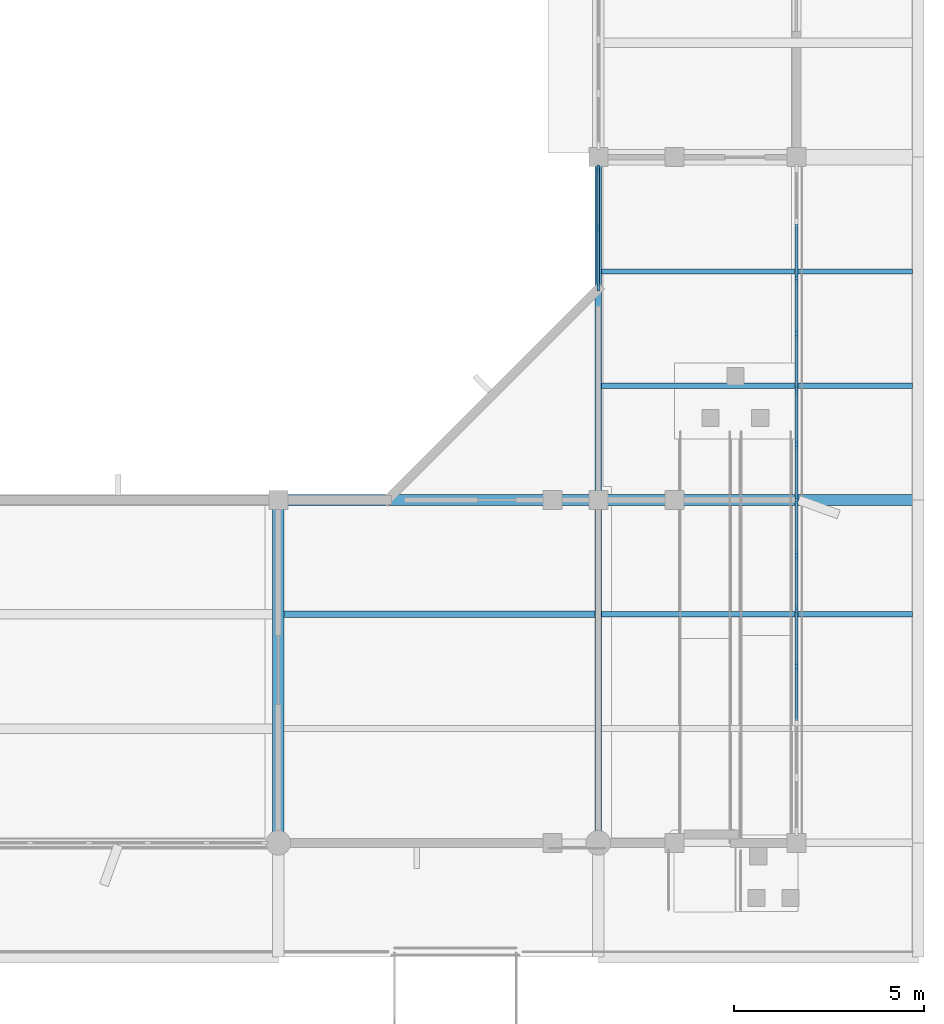
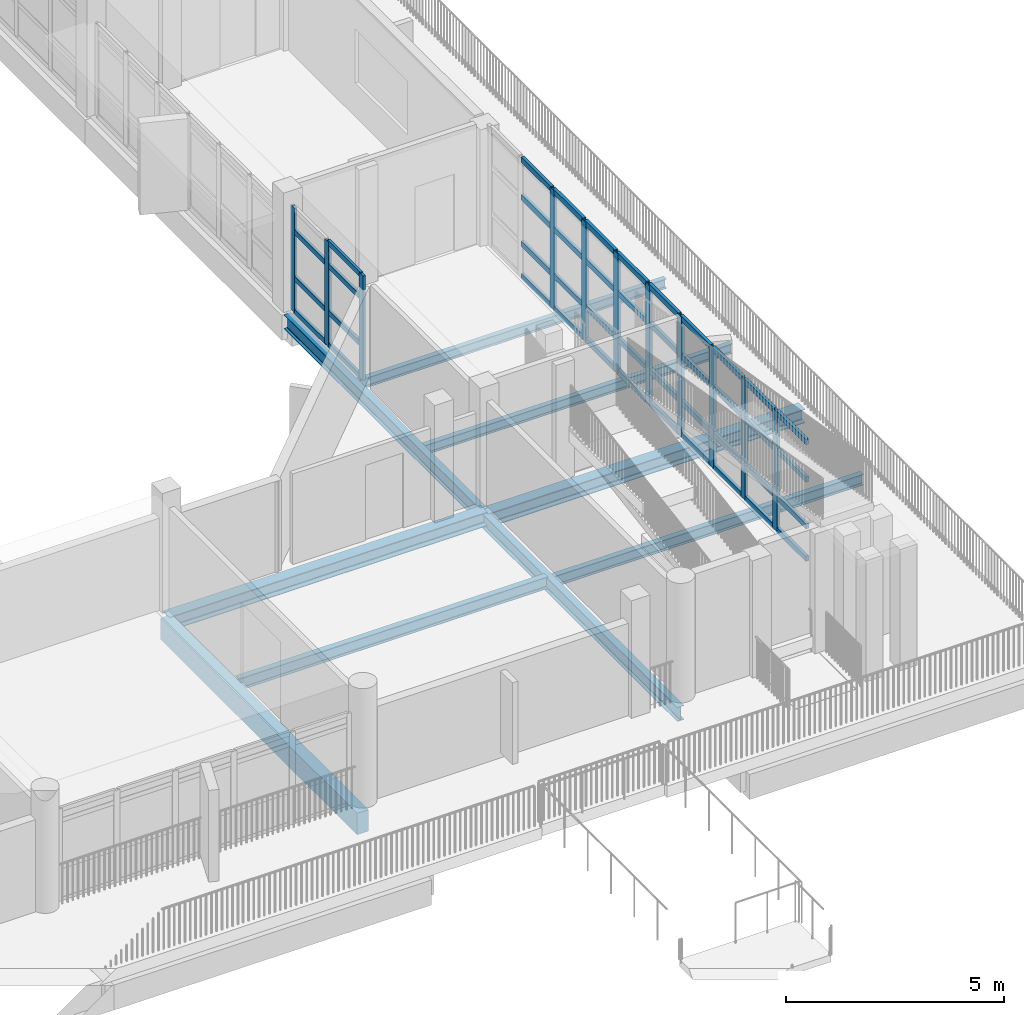
# One storey, part 12 of 51: 54 members, 9 beams, 2 elements without a shape of their own.
"""IFC4 building model written with IfcOpenShell, lengths in metres."""

from ifc_helpers import new_model, si_unit, direction, frame, origin, origin_2d, place, context, subcontext, project, spatial, rectangle, i_section, extrude, material, material_profile, profile_set, type_object, element, aggregate, save


model = new_model("IFC4")

# Units and contexts
model_context = context("Model", 3, precision=1e-05, world=origin(), true_north=direction((0.0, 1.0)))
body_context = subcontext(model_context, "Body", "Model", "MODEL_VIEW")
ifc_project = project(units=[si_unit("LENGTHUNIT", "METRE"), si_unit("AREAUNIT", "SQUARE_METRE"), si_unit("VOLUMEUNIT", "CUBIC_METRE"), si_unit("PLANEANGLEUNIT", "RADIAN"), si_unit("MASSUNIT", "GRAM", prefix="KILO")], contexts=[model_context])

# Site, building, storey
site_placement = place(None, origin())
site = spatial("IfcSite", under=ifc_project, at=site_placement, CompositionType="ELEMENT")
building_placement = place(site_placement, origin())
building = spatial("IfcBuilding", under=site, at=building_placement, Name="Vanh Quang Courtyard School", CompositionType="ELEMENT")
storey_placement = place(building_placement, frame((0.0, 0.0, 11.39990234375)))
storey = spatial("IfcBuildingStorey", under=building, at=storey_placement, Name="L03", CompositionType="ELEMENT", Elevation=11.39990234375)

# Beams
ifc_material_1 = material(Name="Concrete C35/45", Category="concrete")
ifc_material_profile_1 = material_profile(ifc_material_1, rectangle(XDim=0.300048828125, YDim=0.60009765625, at=origin_2d()), Name="RC-BM 300x600")
ifc_profile_set_1 = profile_set([ifc_material_profile_1], Name="Concrete C35/45")
beam_type_1 = type_object("IfcBeamType", Name="BM-RC-300x600", PredefinedType="BEAM", material=ifc_profile_set_1)
beam_1_placement = place(storey_placement, frame((102.60009765625, 32.39990234375, -0.619873046875), z_axis=(0.0, 1.0, 0.0), x_axis=(-1.0, 0.0, 0.0)))
element("IfcBeam", 1, at=beam_1_placement, inside=storey, type_object=beam_type_1, Name="Beam B-06 (L03)", PredefinedType="BEAM", context=body_context, shape_type="SweptSolid", body=[
    extrude(rectangle(XDim=0.300048828125, YDim=0.60009765625, at=origin_2d()), origin(), (0.0, 0.0, 1.0), 9.0),
])
ifc_material_2 = material(Name="Structural steel EN 10025-2 S355J2", Category="steel")
ifc_material_profile_2 = material_profile(ifc_material_2, i_section(OverallWidth=0.300048828125, OverallDepth=0.389892578125, WebThickness=0.010986328125, FlangeThickness=0.01904296875, FilletRadius=0.027099609375, at=origin_2d()), Name="HEA 400")
ifc_profile_set_2 = profile_set([ifc_material_profile_2], Name="Structural steel EN 10025-2 S355J2")
beam_type_2 = type_object("IfcBeamType", Name="BM-STL-HEA400", PredefinedType="BEAM", material=ifc_profile_set_2)
for number, where, z_axis, x_axis, name in (
    (2, (102.60009765625, 41.39990234375, -0.454833984375), (1.0, 0.0, 0.0), (0.0, 1.0, 0.0), "Beam SB-08 (L03)"),
    (3, (111.0, 41.39990234375, -0.514892578125), (1.0, 0.0, 0.0), (0.0, 1.0, 0.0), "Beam SB-08 (L03)"),
):
    element("IfcBeam", number, at=place(storey_placement, frame(where, z_axis=z_axis, x_axis=x_axis)), inside=storey, type_object=beam_type_2, Name=name, PredefinedType="BEAM", context=body_context, shape_type="SweptSolid", body=[
        extrude(i_section(OverallWidth=0.300048828125, OverallDepth=0.389892578125, WebThickness=0.010986328125, FlangeThickness=0.01904296875, FilletRadius=0.027099609375, at=origin_2d()), origin(), (0.0, 0.0, 1.0), 8.39990234375),
    ])
ifc_material_profile_3 = material_profile(ifc_material_2, i_section(OverallWidth=0.179931640625, OverallDepth=0.39990234375, WebThickness=0.008544921875, FlangeThickness=0.013427734375, FilletRadius=0.02099609375, at=origin_2d()), Name="IPE 400")
ifc_profile_set_3 = profile_set([ifc_material_profile_3], Name="Structural steel EN 10025-2 S355J2")
beam_type_3 = type_object("IfcBeamType", Name="BM-STL-IPE400", PredefinedType="BEAM", material=ifc_profile_set_3)
for number, where, z_axis, x_axis, name in (
    (4, (111.0, 32.39990234375, -0.52001953125), (0.0, 1.0, 0.0), (-1.0, 0.0, 0.0), "Beam SB-05 (L03)"),
    (5, (111.0, 41.39990234375, -0.4599609375), (0.0, 1.0, 0.0), (-1.0, 0.0, 0.0), "Beam SB-05 (L03)"),
):
    element("IfcBeam", number, at=place(storey_placement, frame(where, z_axis=z_axis, x_axis=x_axis)), inside=storey, type_object=beam_type_3, Name=name, PredefinedType="BEAM", context=body_context, shape_type="SweptSolid", body=[
        extrude(i_section(OverallWidth=0.179931640625, OverallDepth=0.39990234375, WebThickness=0.008544921875, FlangeThickness=0.013427734375, FilletRadius=0.02099609375, at=origin_2d()), origin(), (0.0, 0.0, 1.0), 9.0),
    ])

# Curtain wall, members
ifc_material_3 = material(Name="Thermally broken aluminium unitised curtain wall", Category="aluminium")
curtain_wall_type_1 = type_object("IfcCurtainWallType", Name="CW-SYS-45", PredefinedType="NOTDEFINED", material=ifc_material_3)
curtain_wall_1_placement = place(storey_placement, origin())
curtain_wall_1 = element("IfcCurtainWall", 6, at=curtain_wall_1_placement, inside=storey, type_object=curtain_wall_type_1, Name="Curtain Wall CW-45 (L03)", PredefinedType="NOTDEFINED")
ifc_material_4 = material(Name="Anodised aluminium 6063-T6", Category="aluminium")
ifc_material_profile_4 = material_profile(ifc_material_4, rectangle(XDim=0.070068359375, YDim=0.179931640625, at=origin_2d()), Name="ALU-MUL 70x180")
ifc_profile_set_4 = profile_set([ifc_material_profile_4], Name="Anodised aluminium 6063-T6")
member_type_1 = type_object("IfcMemberType", Name="CW-MUL-70x180", PredefinedType="MULLION", material=ifc_profile_set_4)
member_1_placement = place(storey_placement, frame((111.0, 46.97900390625, 0.0), z_axis=(0.0, 0.0, 1.0), x_axis=(-1.0, 0.0, 0.0)))
member_1 = element("IfcMember", 7, at=member_1_placement, type_object=member_type_1, Name="CW-45 mullion 1", PredefinedType="MULLION", context=body_context, shape_type="SweptSolid", body=[
    extrude(rectangle(XDim=0.070068359375, YDim=0.179931640625, at=origin_2d()), origin(), (0.0, 0.0, 1.0), 2.920166015625),
])
member_2_placement = place(storey_placement, frame((111.0, 48.54296875, 0.0), z_axis=(0.0, 0.0, 1.0), x_axis=(-1.0, 0.0, 0.0)))
member_2 = element("IfcMember", 8, at=member_2_placement, type_object=member_type_1, Name="CW-45 mullion 2", PredefinedType="MULLION", context=body_context, shape_type="SweptSolid", body=[
    extrude(rectangle(XDim=0.070068359375, YDim=0.179931640625, at=origin_2d()), origin(), (0.0, 0.0, 1.0), 2.920166015625),
])
member_3_placement = place(storey_placement, frame((111.0, 50.10693359375, 0.0), z_axis=(0.0, 0.0, 1.0), x_axis=(-1.0, 0.0, 0.0)))
member_3 = element("IfcMember", 9, at=member_3_placement, type_object=member_type_1, Name="CW-45 mullion 3", PredefinedType="MULLION", context=body_context, shape_type="SweptSolid", body=[
    extrude(rectangle(XDim=0.070068359375, YDim=0.179931640625, at=origin_2d()), origin(), (0.0, 0.0, 1.0), 2.920166015625),
])

curtain_wall_type_2 = type_object("IfcCurtainWallType", Name="CW-SYS-60", PredefinedType="NOTDEFINED", material=ifc_material_3)
curtain_wall_2_placement = place(storey_placement, origin())
curtain_wall_2 = element("IfcCurtainWall", 10, at=curtain_wall_2_placement, inside=storey, type_object=curtain_wall_type_2, Name="Curtain Wall CW-60 (L03)", PredefinedType="NOTDEFINED")
ifc_material_profile_5 = material_profile(ifc_material_4, rectangle(XDim=0.080078125, YDim=0.199951171875, at=origin_2d()), Name="ALU-MUL 80x200")
ifc_profile_set_5 = profile_set([ifc_material_profile_5], Name="Anodised aluminium 6063-T6")
member_type_2 = type_object("IfcMemberType", Name="CW-MUL-80x200", PredefinedType="MULLION", material=ifc_profile_set_5)
member_4_placement = place(storey_placement, frame((116.199951171875, 47.22802734375, 0.0), z_axis=(0.0, 0.0, 1.0), x_axis=(1.0, 0.0, 0.0)))
member_4 = element("IfcMember", 11, at=member_4_placement, type_object=member_type_2, Name="CW-60 mullion 3", PredefinedType="MULLION", context=body_context, shape_type="SweptSolid", body=[
    extrude(rectangle(XDim=0.080078125, YDim=0.199951171875, at=origin_2d()), origin(), (0.0, 0.0, 1.0), 3.340087890625),
])
member_5_placement = place(storey_placement, frame((116.199951171875, 45.77099609375, 0.0), z_axis=(0.0, 0.0, 1.0), x_axis=(1.0, 0.0, 0.0)))
member_5 = element("IfcMember", 12, at=member_5_placement, type_object=member_type_2, Name="CW-60 mullion 4", PredefinedType="MULLION", context=body_context, shape_type="SweptSolid", body=[
    extrude(rectangle(XDim=0.080078125, YDim=0.199951171875, at=origin_2d()), origin(), (0.0, 0.0, 1.0), 3.340087890625),
])
member_6_placement = place(storey_placement, frame((116.199951171875, 44.31396484375, 0.0), z_axis=(0.0, 0.0, 1.0), x_axis=(1.0, 0.0, 0.0)))
member_6 = element("IfcMember", 13, at=member_6_placement, type_object=member_type_2, Name="CW-60 mullion 5", PredefinedType="MULLION", context=body_context, shape_type="SweptSolid", body=[
    extrude(rectangle(XDim=0.080078125, YDim=0.199951171875, at=origin_2d()), origin(), (0.0, 0.0, 1.0), 3.340087890625),
])
member_7_placement = place(storey_placement, frame((116.199951171875, 42.85693359375, 0.0), z_axis=(0.0, 0.0, 1.0), x_axis=(1.0, 0.0, 0.0)))
member_7 = element("IfcMember", 14, at=member_7_placement, type_object=member_type_2, Name="CW-60 mullion 6", PredefinedType="MULLION", context=body_context, shape_type="SweptSolid", body=[
    extrude(rectangle(XDim=0.080078125, YDim=0.199951171875, at=origin_2d()), origin(), (0.0, 0.0, 1.0), 3.340087890625),
])
member_8_placement = place(storey_placement, frame((116.199951171875, 41.39990234375, 0.0), z_axis=(0.0, 0.0, 1.0), x_axis=(1.0, 0.0, 0.0)))
member_8 = element("IfcMember", 15, at=member_8_placement, type_object=member_type_2, Name="CW-60 mullion 7", PredefinedType="MULLION", context=body_context, shape_type="SweptSolid", body=[
    extrude(rectangle(XDim=0.080078125, YDim=0.199951171875, at=origin_2d()), origin(), (0.0, 0.0, 1.0), 3.340087890625),
])
member_9_placement = place(storey_placement, frame((116.199951171875, 39.943115234375, 0.0), z_axis=(0.0, 0.0, 1.0), x_axis=(1.0, 0.0, 0.0)))
member_9 = element("IfcMember", 16, at=member_9_placement, type_object=member_type_2, Name="CW-60 mullion 8", PredefinedType="MULLION", context=body_context, shape_type="SweptSolid", body=[
    extrude(rectangle(XDim=0.080078125, YDim=0.199951171875, at=origin_2d()), origin(), (0.0, 0.0, 1.0), 3.340087890625),
])
member_10_placement = place(storey_placement, frame((116.199951171875, 38.486083984375, 0.0), z_axis=(0.0, 0.0, 1.0), x_axis=(1.0, 0.0, 0.0)))
member_10 = element("IfcMember", 17, at=member_10_placement, type_object=member_type_2, Name="CW-60 mullion 9", PredefinedType="MULLION", context=body_context, shape_type="SweptSolid", body=[
    extrude(rectangle(XDim=0.080078125, YDim=0.199951171875, at=origin_2d()), origin(), (0.0, 0.0, 1.0), 3.340087890625),
])
member_11_placement = place(storey_placement, frame((116.199951171875, 37.029052734375, 0.0), z_axis=(0.0, 0.0, 1.0), x_axis=(1.0, 0.0, 0.0)))
member_11 = element("IfcMember", 18, at=member_11_placement, type_object=member_type_2, Name="CW-60 mullion 10", PredefinedType="MULLION", context=body_context, shape_type="SweptSolid", body=[
    extrude(rectangle(XDim=0.080078125, YDim=0.199951171875, at=origin_2d()), origin(), (0.0, 0.0, 1.0), 3.340087890625),
])

# Member
ifc_material_profile_6 = material_profile(ifc_material_4, rectangle(XDim=0.070068359375, YDim=0.139892578125, at=origin_2d()), Name="ALU-TRN 70x140")
ifc_profile_set_6 = profile_set([ifc_material_profile_6], Name="Anodised aluminium 6063-T6")
member_type_3 = type_object("IfcMemberType", Name="CW-TRN-70x140", PredefinedType="USERDEFINED", material=ifc_profile_set_6)
member_12_placement = place(storey_placement, frame((111.0, 47.013916015625, 0.03515625), z_axis=(0.0, 1.0, 0.0), x_axis=(-1.0, 0.0, 0.0)))
member_12 = element("IfcMember", 19, at=member_12_placement, type_object=member_type_3, Name="CW-45 transom 1.1", ObjectType="TRANSOM", PredefinedType="USERDEFINED", context=body_context, shape_type="SweptSolid", body=[
    extrude(rectangle(XDim=0.070068359375, YDim=0.139892578125, at=origin_2d()), origin(), (0.0, 0.0, 1.0), 1.494140625),
])

member_13_placement = place(storey_placement, frame((111.0, 47.013916015625, 0.9501953125), z_axis=(0.0, 1.0, 0.0), x_axis=(-1.0, 0.0, 0.0)))
member_13 = element("IfcMember", 20, at=member_13_placement, type_object=member_type_3, Name="CW-45 transom 1.2", ObjectType="TRANSOM", PredefinedType="USERDEFINED", context=body_context, shape_type="SweptSolid", body=[
    extrude(rectangle(XDim=0.070068359375, YDim=0.139892578125, at=origin_2d()), origin(), (0.0, 0.0, 1.0), 1.494140625),
])

member_14_placement = place(storey_placement, frame((111.0, 47.013916015625, 2.25), z_axis=(0.0, 1.0, 0.0), x_axis=(-1.0, 0.0, 0.0)))
member_14 = element("IfcMember", 21, at=member_14_placement, type_object=member_type_3, Name="CW-45 transom 1.3", ObjectType="TRANSOM", PredefinedType="USERDEFINED", context=body_context, shape_type="SweptSolid", body=[
    extrude(rectangle(XDim=0.070068359375, YDim=0.139892578125, at=origin_2d()), origin(), (0.0, 0.0, 1.0), 1.494140625),
])

member_15_placement = place(storey_placement, frame((111.0, 47.013916015625, 2.885009765625), z_axis=(0.0, 1.0, 0.0), x_axis=(-1.0, 0.0, 0.0)))
member_15 = element("IfcMember", 22, at=member_15_placement, type_object=member_type_3, Name="CW-45 transom 1.4", ObjectType="TRANSOM", PredefinedType="USERDEFINED", context=body_context, shape_type="SweptSolid", body=[
    extrude(rectangle(XDim=0.070068359375, YDim=0.139892578125, at=origin_2d()), origin(), (0.0, 0.0, 1.0), 1.494140625),
])

member_16_placement = place(storey_placement, frame((111.0, 48.577880859375, 0.03515625), z_axis=(0.0, 1.0, 0.0), x_axis=(-1.0, 0.0, 0.0)))
member_16 = element("IfcMember", 23, at=member_16_placement, type_object=member_type_3, Name="CW-45 transom 2.1", ObjectType="TRANSOM", PredefinedType="USERDEFINED", context=body_context, shape_type="SweptSolid", body=[
    extrude(rectangle(XDim=0.070068359375, YDim=0.139892578125, at=origin_2d()), origin(), (0.0, 0.0, 1.0), 1.494140625),
])

member_17_placement = place(storey_placement, frame((111.0, 48.577880859375, 0.9501953125), z_axis=(0.0, 1.0, 0.0), x_axis=(-1.0, 0.0, 0.0)))
member_17 = element("IfcMember", 24, at=member_17_placement, type_object=member_type_3, Name="CW-45 transom 2.2", ObjectType="TRANSOM", PredefinedType="USERDEFINED", context=body_context, shape_type="SweptSolid", body=[
    extrude(rectangle(XDim=0.070068359375, YDim=0.139892578125, at=origin_2d()), origin(), (0.0, 0.0, 1.0), 1.494140625),
])

member_18_placement = place(storey_placement, frame((111.0, 48.577880859375, 2.25), z_axis=(0.0, 1.0, 0.0), x_axis=(-1.0, 0.0, 0.0)))
member_18 = element("IfcMember", 25, at=member_18_placement, type_object=member_type_3, Name="CW-45 transom 2.3", ObjectType="TRANSOM", PredefinedType="USERDEFINED", context=body_context, shape_type="SweptSolid", body=[
    extrude(rectangle(XDim=0.070068359375, YDim=0.139892578125, at=origin_2d()), origin(), (0.0, 0.0, 1.0), 1.494140625),
])

aggregate(curtain_wall_1, [member_1, member_2, member_3, member_12, member_13, member_14, member_15, member_16, member_17, member_18])

ifc_material_profile_7 = material_profile(ifc_material_4, rectangle(XDim=0.080078125, YDim=0.14990234375, at=origin_2d()), Name="ALU-TRN 80x150")
ifc_profile_set_7 = profile_set([ifc_material_profile_7], Name="Anodised aluminium 6063-T6")
member_type_4 = type_object("IfcMemberType", Name="CW-TRN-80x150", PredefinedType="USERDEFINED", material=ifc_profile_set_7)
member_19_placement = place(storey_placement, frame((116.199951171875, 48.64501953125, 0.0400390625), z_axis=(0.0, -1.0, 0.0), x_axis=(1.0, 0.0, 0.0)))
member_19 = element("IfcMember", 26, at=member_19_placement, type_object=member_type_4, Name="CW-60 transom 2.1", ObjectType="TRANSOM", PredefinedType="USERDEFINED", context=body_context, shape_type="SweptSolid", body=[
    extrude(rectangle(XDim=0.080078125, YDim=0.14990234375, at=origin_2d()), origin(), (0.0, 0.0, 1.0), 1.376953125),
])

member_20_placement = place(storey_placement, frame((116.199951171875, 48.64501953125, 0.9501953125), z_axis=(0.0, -1.0, 0.0), x_axis=(1.0, 0.0, 0.0)))
member_20 = element("IfcMember", 27, at=member_20_placement, type_object=member_type_4, Name="CW-60 transom 2.2", ObjectType="TRANSOM", PredefinedType="USERDEFINED", context=body_context, shape_type="SweptSolid", body=[
    extrude(rectangle(XDim=0.080078125, YDim=0.14990234375, at=origin_2d()), origin(), (0.0, 0.0, 1.0), 1.376953125),
])

member_21_placement = place(storey_placement, frame((116.199951171875, 48.64501953125, 2.25), z_axis=(0.0, -1.0, 0.0), x_axis=(1.0, 0.0, 0.0)))
member_21 = element("IfcMember", 28, at=member_21_placement, type_object=member_type_4, Name="CW-60 transom 2.3", ObjectType="TRANSOM", PredefinedType="USERDEFINED", context=body_context, shape_type="SweptSolid", body=[
    extrude(rectangle(XDim=0.080078125, YDim=0.14990234375, at=origin_2d()), origin(), (0.0, 0.0, 1.0), 1.376953125),
])

member_22_placement = place(storey_placement, frame((116.199951171875, 48.64501953125, 3.300048828125), z_axis=(0.0, -1.0, 0.0), x_axis=(1.0, 0.0, 0.0)))
member_22 = element("IfcMember", 29, at=member_22_placement, type_object=member_type_4, Name="CW-60 transom 2.4", ObjectType="TRANSOM", PredefinedType="USERDEFINED", context=body_context, shape_type="SweptSolid", body=[
    extrude(rectangle(XDim=0.080078125, YDim=0.14990234375, at=origin_2d()), origin(), (0.0, 0.0, 1.0), 1.376953125),
])

member_23_placement = place(storey_placement, frame((116.199951171875, 47.18798828125, 0.0400390625), z_axis=(0.0, -1.0, 0.0), x_axis=(1.0, 0.0, 0.0)))
member_23 = element("IfcMember", 30, at=member_23_placement, type_object=member_type_4, Name="CW-60 transom 3.1", ObjectType="TRANSOM", PredefinedType="USERDEFINED", context=body_context, shape_type="SweptSolid", body=[
    extrude(rectangle(XDim=0.080078125, YDim=0.14990234375, at=origin_2d()), origin(), (0.0, 0.0, 1.0), 1.376953125),
])

member_24_placement = place(storey_placement, frame((116.199951171875, 47.18798828125, 0.9501953125), z_axis=(0.0, -1.0, 0.0), x_axis=(1.0, 0.0, 0.0)))
member_24 = element("IfcMember", 31, at=member_24_placement, type_object=member_type_4, Name="CW-60 transom 3.2", ObjectType="TRANSOM", PredefinedType="USERDEFINED", context=body_context, shape_type="SweptSolid", body=[
    extrude(rectangle(XDim=0.080078125, YDim=0.14990234375, at=origin_2d()), origin(), (0.0, 0.0, 1.0), 1.376953125),
])

member_25_placement = place(storey_placement, frame((116.199951171875, 47.18798828125, 2.25), z_axis=(0.0, -1.0, 0.0), x_axis=(1.0, 0.0, 0.0)))
member_25 = element("IfcMember", 32, at=member_25_placement, type_object=member_type_4, Name="CW-60 transom 3.3", ObjectType="TRANSOM", PredefinedType="USERDEFINED", context=body_context, shape_type="SweptSolid", body=[
    extrude(rectangle(XDim=0.080078125, YDim=0.14990234375, at=origin_2d()), origin(), (0.0, 0.0, 1.0), 1.376953125),
])

member_26_placement = place(storey_placement, frame((116.199951171875, 47.18798828125, 3.300048828125), z_axis=(0.0, -1.0, 0.0), x_axis=(1.0, 0.0, 0.0)))
member_26 = element("IfcMember", 33, at=member_26_placement, type_object=member_type_4, Name="CW-60 transom 3.4", ObjectType="TRANSOM", PredefinedType="USERDEFINED", context=body_context, shape_type="SweptSolid", body=[
    extrude(rectangle(XDim=0.080078125, YDim=0.14990234375, at=origin_2d()), origin(), (0.0, 0.0, 1.0), 1.376953125),
])

member_27_placement = place(storey_placement, frame((116.199951171875, 45.73095703125, 0.0400390625), z_axis=(0.0, -1.0, 0.0), x_axis=(1.0, 0.0, 0.0)))
member_27 = element("IfcMember", 34, at=member_27_placement, type_object=member_type_4, Name="CW-60 transom 4.1", ObjectType="TRANSOM", PredefinedType="USERDEFINED", context=body_context, shape_type="SweptSolid", body=[
    extrude(rectangle(XDim=0.080078125, YDim=0.14990234375, at=origin_2d()), origin(), (0.0, 0.0, 1.0), 1.376953125),
])

member_28_placement = place(storey_placement, frame((116.199951171875, 45.73095703125, 0.9501953125), z_axis=(0.0, -1.0, 0.0), x_axis=(1.0, 0.0, 0.0)))
member_28 = element("IfcMember", 35, at=member_28_placement, type_object=member_type_4, Name="CW-60 transom 4.2", ObjectType="TRANSOM", PredefinedType="USERDEFINED", context=body_context, shape_type="SweptSolid", body=[
    extrude(rectangle(XDim=0.080078125, YDim=0.14990234375, at=origin_2d()), origin(), (0.0, 0.0, 1.0), 1.376953125),
])

member_29_placement = place(storey_placement, frame((116.199951171875, 45.73095703125, 2.25), z_axis=(0.0, -1.0, 0.0), x_axis=(1.0, 0.0, 0.0)))
member_29 = element("IfcMember", 36, at=member_29_placement, type_object=member_type_4, Name="CW-60 transom 4.3", ObjectType="TRANSOM", PredefinedType="USERDEFINED", context=body_context, shape_type="SweptSolid", body=[
    extrude(rectangle(XDim=0.080078125, YDim=0.14990234375, at=origin_2d()), origin(), (0.0, 0.0, 1.0), 1.376953125),
])

member_30_placement = place(storey_placement, frame((116.199951171875, 45.73095703125, 3.300048828125), z_axis=(0.0, -1.0, 0.0), x_axis=(1.0, 0.0, 0.0)))
member_30 = element("IfcMember", 37, at=member_30_placement, type_object=member_type_4, Name="CW-60 transom 4.4", ObjectType="TRANSOM", PredefinedType="USERDEFINED", context=body_context, shape_type="SweptSolid", body=[
    extrude(rectangle(XDim=0.080078125, YDim=0.14990234375, at=origin_2d()), origin(), (0.0, 0.0, 1.0), 1.376953125),
])

member_31_placement = place(storey_placement, frame((116.199951171875, 44.27392578125, 0.0400390625), z_axis=(0.0, -1.0, 0.0), x_axis=(1.0, 0.0, 0.0)))
member_31 = element("IfcMember", 38, at=member_31_placement, type_object=member_type_4, Name="CW-60 transom 5.1", ObjectType="TRANSOM", PredefinedType="USERDEFINED", context=body_context, shape_type="SweptSolid", body=[
    extrude(rectangle(XDim=0.080078125, YDim=0.14990234375, at=origin_2d()), origin(), (0.0, 0.0, 1.0), 1.376953125),
])

member_32_placement = place(storey_placement, frame((116.199951171875, 44.27392578125, 0.9501953125), z_axis=(0.0, -1.0, 0.0), x_axis=(1.0, 0.0, 0.0)))
member_32 = element("IfcMember", 39, at=member_32_placement, type_object=member_type_4, Name="CW-60 transom 5.2", ObjectType="TRANSOM", PredefinedType="USERDEFINED", context=body_context, shape_type="SweptSolid", body=[
    extrude(rectangle(XDim=0.080078125, YDim=0.14990234375, at=origin_2d()), origin(), (0.0, 0.0, 1.0), 1.376953125),
])

member_33_placement = place(storey_placement, frame((116.199951171875, 44.27392578125, 2.25), z_axis=(0.0, -1.0, 0.0), x_axis=(1.0, 0.0, 0.0)))
member_33 = element("IfcMember", 40, at=member_33_placement, type_object=member_type_4, Name="CW-60 transom 5.3", ObjectType="TRANSOM", PredefinedType="USERDEFINED", context=body_context, shape_type="SweptSolid", body=[
    extrude(rectangle(XDim=0.080078125, YDim=0.14990234375, at=origin_2d()), origin(), (0.0, 0.0, 1.0), 1.376953125),
])

member_34_placement = place(storey_placement, frame((116.199951171875, 44.27392578125, 3.300048828125), z_axis=(0.0, -1.0, 0.0), x_axis=(1.0, 0.0, 0.0)))
member_34 = element("IfcMember", 41, at=member_34_placement, type_object=member_type_4, Name="CW-60 transom 5.4", ObjectType="TRANSOM", PredefinedType="USERDEFINED", context=body_context, shape_type="SweptSolid", body=[
    extrude(rectangle(XDim=0.080078125, YDim=0.14990234375, at=origin_2d()), origin(), (0.0, 0.0, 1.0), 1.376953125),
])

member_35_placement = place(storey_placement, frame((116.199951171875, 42.81689453125, 0.0400390625), z_axis=(0.0, -1.0, 0.0), x_axis=(1.0, 0.0, 0.0)))
member_35 = element("IfcMember", 42, at=member_35_placement, type_object=member_type_4, Name="CW-60 transom 6.1", ObjectType="TRANSOM", PredefinedType="USERDEFINED", context=body_context, shape_type="SweptSolid", body=[
    extrude(rectangle(XDim=0.080078125, YDim=0.14990234375, at=origin_2d()), origin(), (0.0, 0.0, 1.0), 1.376953125),
])

member_36_placement = place(storey_placement, frame((116.199951171875, 42.81689453125, 0.9501953125), z_axis=(0.0, -1.0, 0.0), x_axis=(1.0, 0.0, 0.0)))
member_36 = element("IfcMember", 43, at=member_36_placement, type_object=member_type_4, Name="CW-60 transom 6.2", ObjectType="TRANSOM", PredefinedType="USERDEFINED", context=body_context, shape_type="SweptSolid", body=[
    extrude(rectangle(XDim=0.080078125, YDim=0.14990234375, at=origin_2d()), origin(), (0.0, 0.0, 1.0), 1.376953125),
])

member_37_placement = place(storey_placement, frame((116.199951171875, 42.81689453125, 2.25), z_axis=(0.0, -1.0, 0.0), x_axis=(1.0, 0.0, 0.0)))
member_37 = element("IfcMember", 44, at=member_37_placement, type_object=member_type_4, Name="CW-60 transom 6.3", ObjectType="TRANSOM", PredefinedType="USERDEFINED", context=body_context, shape_type="SweptSolid", body=[
    extrude(rectangle(XDim=0.080078125, YDim=0.14990234375, at=origin_2d()), origin(), (0.0, 0.0, 1.0), 1.376953125),
])

member_38_placement = place(storey_placement, frame((116.199951171875, 42.81689453125, 3.300048828125), z_axis=(0.0, -1.0, 0.0), x_axis=(1.0, 0.0, 0.0)))
member_38 = element("IfcMember", 45, at=member_38_placement, type_object=member_type_4, Name="CW-60 transom 6.4", ObjectType="TRANSOM", PredefinedType="USERDEFINED", context=body_context, shape_type="SweptSolid", body=[
    extrude(rectangle(XDim=0.080078125, YDim=0.14990234375, at=origin_2d()), origin(), (0.0, 0.0, 1.0), 1.376953125),
])

member_39_placement = place(storey_placement, frame((116.199951171875, 41.360107421875, 0.0400390625), z_axis=(0.0, -1.0, 0.0), x_axis=(1.0, 0.0, 0.0)))
member_39 = element("IfcMember", 46, at=member_39_placement, type_object=member_type_4, Name="CW-60 transom 7.1", ObjectType="TRANSOM", PredefinedType="USERDEFINED", context=body_context, shape_type="SweptSolid", body=[
    extrude(rectangle(XDim=0.080078125, YDim=0.14990234375, at=origin_2d()), origin(), (0.0, 0.0, 1.0), 1.377197265625),
])

member_40_placement = place(storey_placement, frame((116.199951171875, 41.360107421875, 0.9501953125), z_axis=(0.0, -1.0, 0.0), x_axis=(1.0, 0.0, 0.0)))
member_40 = element("IfcMember", 47, at=member_40_placement, type_object=member_type_4, Name="CW-60 transom 7.2", ObjectType="TRANSOM", PredefinedType="USERDEFINED", context=body_context, shape_type="SweptSolid", body=[
    extrude(rectangle(XDim=0.080078125, YDim=0.14990234375, at=origin_2d()), origin(), (0.0, 0.0, 1.0), 1.377197265625),
])

member_41_placement = place(storey_placement, frame((116.199951171875, 41.360107421875, 2.25), z_axis=(0.0, -1.0, 0.0), x_axis=(1.0, 0.0, 0.0)))
member_41 = element("IfcMember", 48, at=member_41_placement, type_object=member_type_4, Name="CW-60 transom 7.3", ObjectType="TRANSOM", PredefinedType="USERDEFINED", context=body_context, shape_type="SweptSolid", body=[
    extrude(rectangle(XDim=0.080078125, YDim=0.14990234375, at=origin_2d()), origin(), (0.0, 0.0, 1.0), 1.377197265625),
])

member_42_placement = place(storey_placement, frame((116.199951171875, 41.360107421875, 3.300048828125), z_axis=(0.0, -1.0, 0.0), x_axis=(1.0, 0.0, 0.0)))
member_42 = element("IfcMember", 49, at=member_42_placement, type_object=member_type_4, Name="CW-60 transom 7.4", ObjectType="TRANSOM", PredefinedType="USERDEFINED", context=body_context, shape_type="SweptSolid", body=[
    extrude(rectangle(XDim=0.080078125, YDim=0.14990234375, at=origin_2d()), origin(), (0.0, 0.0, 1.0), 1.377197265625),
])

member_43_placement = place(storey_placement, frame((116.199951171875, 39.903076171875, 0.0400390625), z_axis=(0.0, -1.0, 0.0), x_axis=(1.0, 0.0, 0.0)))
member_43 = element("IfcMember", 50, at=member_43_placement, type_object=member_type_4, Name="CW-60 transom 8.1", ObjectType="TRANSOM", PredefinedType="USERDEFINED", context=body_context, shape_type="SweptSolid", body=[
    extrude(rectangle(XDim=0.080078125, YDim=0.14990234375, at=origin_2d()), origin(), (0.0, 0.0, 1.0), 1.377197265625),
])

member_44_placement = place(storey_placement, frame((116.199951171875, 39.903076171875, 0.9501953125), z_axis=(0.0, -1.0, 0.0), x_axis=(1.0, 0.0, 0.0)))
member_44 = element("IfcMember", 51, at=member_44_placement, type_object=member_type_4, Name="CW-60 transom 8.2", ObjectType="TRANSOM", PredefinedType="USERDEFINED", context=body_context, shape_type="SweptSolid", body=[
    extrude(rectangle(XDim=0.080078125, YDim=0.14990234375, at=origin_2d()), origin(), (0.0, 0.0, 1.0), 1.377197265625),
])

member_45_placement = place(storey_placement, frame((116.199951171875, 39.903076171875, 2.25), z_axis=(0.0, -1.0, 0.0), x_axis=(1.0, 0.0, 0.0)))
member_45 = element("IfcMember", 52, at=member_45_placement, type_object=member_type_4, Name="CW-60 transom 8.3", ObjectType="TRANSOM", PredefinedType="USERDEFINED", context=body_context, shape_type="SweptSolid", body=[
    extrude(rectangle(XDim=0.080078125, YDim=0.14990234375, at=origin_2d()), origin(), (0.0, 0.0, 1.0), 1.377197265625),
])

member_46_placement = place(storey_placement, frame((116.199951171875, 39.903076171875, 3.300048828125), z_axis=(0.0, -1.0, 0.0), x_axis=(1.0, 0.0, 0.0)))
member_46 = element("IfcMember", 53, at=member_46_placement, type_object=member_type_4, Name="CW-60 transom 8.4", ObjectType="TRANSOM", PredefinedType="USERDEFINED", context=body_context, shape_type="SweptSolid", body=[
    extrude(rectangle(XDim=0.080078125, YDim=0.14990234375, at=origin_2d()), origin(), (0.0, 0.0, 1.0), 1.377197265625),
])

member_47_placement = place(storey_placement, frame((116.199951171875, 38.446044921875, 0.0400390625), z_axis=(0.0, -1.0, 0.0), x_axis=(1.0, 0.0, 0.0)))
member_47 = element("IfcMember", 54, at=member_47_placement, type_object=member_type_4, Name="CW-60 transom 9.1", ObjectType="TRANSOM", PredefinedType="USERDEFINED", context=body_context, shape_type="SweptSolid", body=[
    extrude(rectangle(XDim=0.080078125, YDim=0.14990234375, at=origin_2d()), origin(), (0.0, 0.0, 1.0), 1.376953125),
])

member_48_placement = place(storey_placement, frame((116.199951171875, 38.446044921875, 0.9501953125), z_axis=(0.0, -1.0, 0.0), x_axis=(1.0, 0.0, 0.0)))
member_48 = element("IfcMember", 55, at=member_48_placement, type_object=member_type_4, Name="CW-60 transom 9.2", ObjectType="TRANSOM", PredefinedType="USERDEFINED", context=body_context, shape_type="SweptSolid", body=[
    extrude(rectangle(XDim=0.080078125, YDim=0.14990234375, at=origin_2d()), origin(), (0.0, 0.0, 1.0), 1.376953125),
])

member_49_placement = place(storey_placement, frame((116.199951171875, 38.446044921875, 2.25), z_axis=(0.0, -1.0, 0.0), x_axis=(1.0, 0.0, 0.0)))
member_49 = element("IfcMember", 56, at=member_49_placement, type_object=member_type_4, Name="CW-60 transom 9.3", ObjectType="TRANSOM", PredefinedType="USERDEFINED", context=body_context, shape_type="SweptSolid", body=[
    extrude(rectangle(XDim=0.080078125, YDim=0.14990234375, at=origin_2d()), origin(), (0.0, 0.0, 1.0), 1.376953125),
])

member_50_placement = place(storey_placement, frame((116.199951171875, 38.446044921875, 3.300048828125), z_axis=(0.0, -1.0, 0.0), x_axis=(1.0, 0.0, 0.0)))
member_50 = element("IfcMember", 57, at=member_50_placement, type_object=member_type_4, Name="CW-60 transom 9.4", ObjectType="TRANSOM", PredefinedType="USERDEFINED", context=body_context, shape_type="SweptSolid", body=[
    extrude(rectangle(XDim=0.080078125, YDim=0.14990234375, at=origin_2d()), origin(), (0.0, 0.0, 1.0), 1.376953125),
])

member_51_placement = place(storey_placement, frame((116.199951171875, 36.989013671875, 0.0400390625), z_axis=(0.0, -1.0, 0.0), x_axis=(1.0, 0.0, 0.0)))
member_51 = element("IfcMember", 58, at=member_51_placement, type_object=member_type_4, Name="CW-60 transom 10.1", ObjectType="TRANSOM", PredefinedType="USERDEFINED", context=body_context, shape_type="SweptSolid", body=[
    extrude(rectangle(XDim=0.080078125, YDim=0.14990234375, at=origin_2d()), origin(), (0.0, 0.0, 1.0), 1.376953125),
])

member_52_placement = place(storey_placement, frame((116.199951171875, 36.989013671875, 0.9501953125), z_axis=(0.0, -1.0, 0.0), x_axis=(1.0, 0.0, 0.0)))
member_52 = element("IfcMember", 59, at=member_52_placement, type_object=member_type_4, Name="CW-60 transom 10.2", ObjectType="TRANSOM", PredefinedType="USERDEFINED", context=body_context, shape_type="SweptSolid", body=[
    extrude(rectangle(XDim=0.080078125, YDim=0.14990234375, at=origin_2d()), origin(), (0.0, 0.0, 1.0), 1.376953125),
])

member_53_placement = place(storey_placement, frame((116.199951171875, 36.989013671875, 2.25), z_axis=(0.0, -1.0, 0.0), x_axis=(1.0, 0.0, 0.0)))
member_53 = element("IfcMember", 60, at=member_53_placement, type_object=member_type_4, Name="CW-60 transom 10.3", ObjectType="TRANSOM", PredefinedType="USERDEFINED", context=body_context, shape_type="SweptSolid", body=[
    extrude(rectangle(XDim=0.080078125, YDim=0.14990234375, at=origin_2d()), origin(), (0.0, 0.0, 1.0), 1.376953125),
])

member_54_placement = place(storey_placement, frame((116.199951171875, 36.989013671875, 3.300048828125), z_axis=(0.0, -1.0, 0.0), x_axis=(1.0, 0.0, 0.0)))
member_54 = element("IfcMember", 61, at=member_54_placement, type_object=member_type_4, Name="CW-60 transom 10.4", ObjectType="TRANSOM", PredefinedType="USERDEFINED", context=body_context, shape_type="SweptSolid", body=[
    extrude(rectangle(XDim=0.080078125, YDim=0.14990234375, at=origin_2d()), origin(), (0.0, 0.0, 1.0), 1.376953125),
])

aggregate(curtain_wall_2, [member_4, member_5, member_6, member_7, member_8, member_9, member_10, member_11, member_19, member_20, member_21, member_22, member_23, member_24, member_25, member_26, member_27, member_28, member_29, member_30, member_31, member_32, member_33, member_34, member_35, member_36, member_37, member_38, member_39, member_40, member_41, member_42, member_43, member_44, member_45, member_46, member_47, member_48, member_49, member_50, member_51, member_52, member_53, member_54])

# Beams
ifc_material_profile_8 = material_profile(ifc_material_2, i_section(OverallWidth=0.135009765625, OverallDepth=0.27001953125, WebThickness=0.006591796875, FlangeThickness=0.01025390625, FilletRadius=0.014892578125, at=origin_2d()), Name="IPE 270")
ifc_profile_set_8 = profile_set([ifc_material_profile_8], Name="Structural steel EN 10025-2 S355J2")
beam_type_4 = type_object("IfcBeamType", Name="JST-STL-IPE270", PredefinedType="JOIST", material=ifc_profile_set_8)
for number, where, z_axis, x_axis, name in (
    (62, (111.090087890625, 44.39990234375, -0.454833984375), (1.0, 0.0, 0.0), (0.0, 1.0, 0.0), "Beam SJ-03 (L03)"),
    (63, (111.090087890625, 47.39990234375, -0.454833984375), (1.0, 0.0, 0.0), (0.0, 1.0, 0.0), "Beam SJ-03 (L03)"),
):
    element("IfcBeam", number, at=place(storey_placement, frame(where, z_axis=z_axis, x_axis=x_axis)), inside=storey, type_object=beam_type_4, Name=name, PredefinedType="JOIST", context=body_context, shape_type="SweptSolid", body=[
        extrude(i_section(OverallWidth=0.135009765625, OverallDepth=0.27001953125, WebThickness=0.006591796875, FlangeThickness=0.01025390625, FilletRadius=0.014892578125, at=origin_2d()), origin(), (0.0, 0.0, 1.0), 8.159912109375),
    ])
ifc_material_profile_9 = material_profile(ifc_material_2, i_section(OverallWidth=0.14990234375, OverallDepth=0.300048828125, WebThickness=0.007080078125, FlangeThickness=0.0107421875, FilletRadius=0.014892578125, at=origin_2d()), Name="IPE 300")
ifc_profile_set_9 = profile_set([ifc_material_profile_9], Name="Structural steel EN 10025-2 S355J2")
beam_type_5 = type_object("IfcBeamType", Name="JST-STL-IPE300", PredefinedType="JOIST", material=ifc_profile_set_9)
beam_2_placement = place(storey_placement, frame((111.090087890625, 38.39990234375, -0.469970703125), z_axis=(1.0, 0.0, 0.0), x_axis=(0.0, 1.0, 0.0)))
element("IfcBeam", 64, at=beam_2_placement, inside=storey, type_object=beam_type_5, Name="Beam SJ-02 (L03)", PredefinedType="JOIST", context=body_context, shape_type="SweptSolid", body=[
    extrude(i_section(OverallWidth=0.14990234375, OverallDepth=0.300048828125, WebThickness=0.007080078125, FlangeThickness=0.0107421875, FilletRadius=0.014892578125, at=origin_2d()), origin(), (0.0, 0.0, 1.0), 8.159912109375),
])
ifc_material_profile_10 = material_profile(ifc_material_2, i_section(OverallWidth=0.159912109375, OverallDepth=0.330078125, WebThickness=0.007568359375, FlangeThickness=0.011474609375, FilletRadius=0.01806640625, at=origin_2d()), Name="IPE 330")
ifc_profile_set_10 = profile_set([ifc_material_profile_10], Name="Structural steel EN 10025-2 S355J2")
beam_type_6 = type_object("IfcBeamType", Name="JST-STL-IPE330", PredefinedType="JOIST", material=ifc_profile_set_10)
beam_3_placement = place(storey_placement, frame((102.75, 38.39990234375, -0.4248046875), z_axis=(1.0, 0.0, 0.0), x_axis=(0.0, 1.0, 0.0)))
element("IfcBeam", 65, at=beam_3_placement, inside=storey, type_object=beam_type_6, Name="Beam SJ-01 (L03)", PredefinedType="JOIST", context=body_context, shape_type="SweptSolid", body=[
    extrude(i_section(OverallWidth=0.159912109375, OverallDepth=0.330078125, WebThickness=0.007568359375, FlangeThickness=0.011474609375, FilletRadius=0.01806640625, at=origin_2d()), origin(), (0.0, 0.0, 1.0), 8.159912109375),
])

save(model, "model.ifc")
